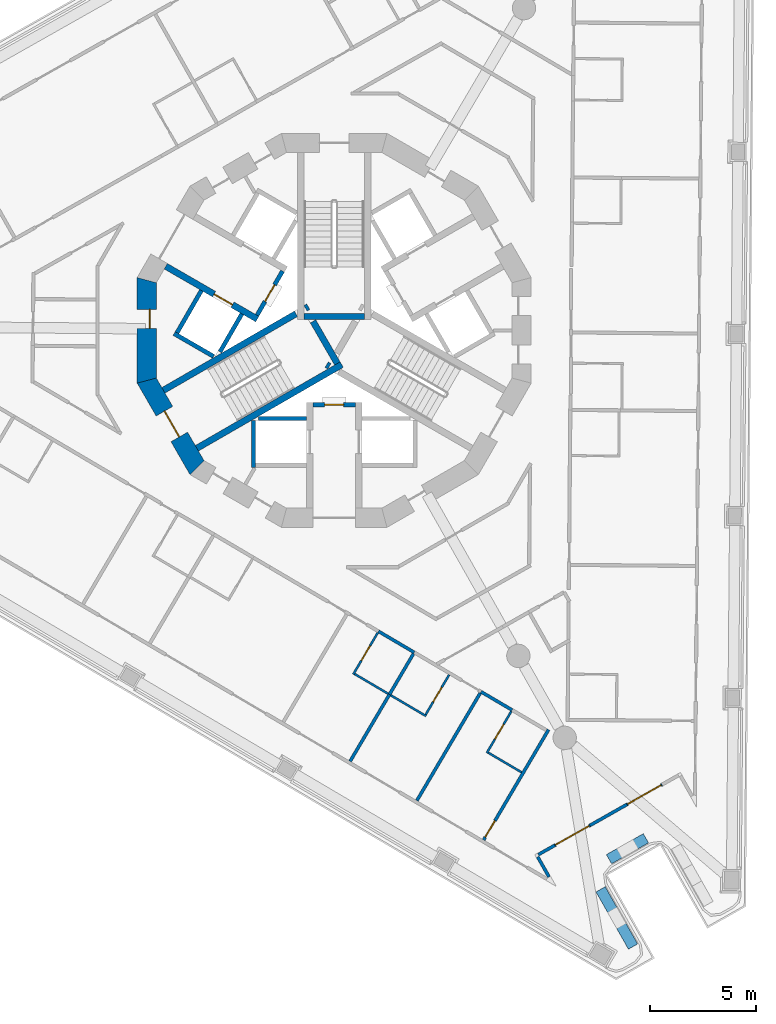
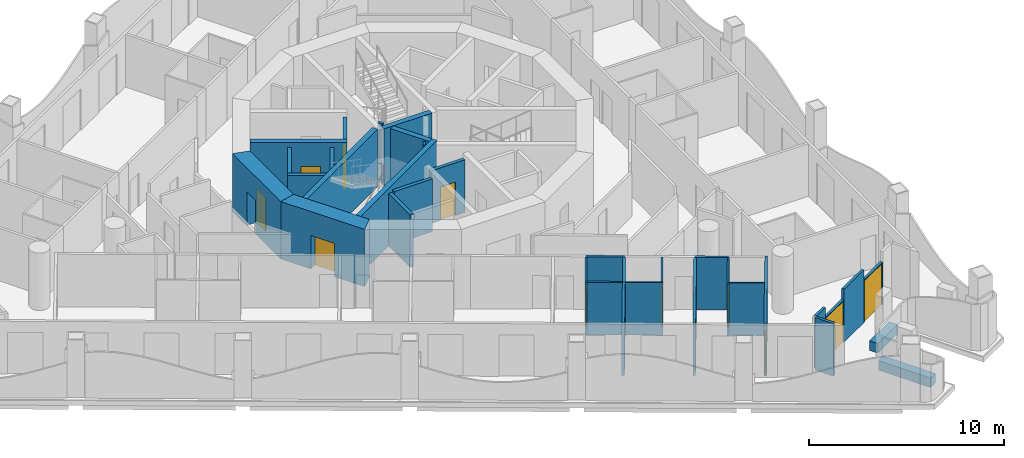
# One storey, part 4 of 17: 35 walls, 11 doors, 11 openings.
"""IFC4 building model written with IfcOpenShell, lengths in metres."""

from ifc_helpers import new_model, si_unit, direction, frame, frame_2d, origin, place, context, subcontext, project, spatial, polyline, rectangle, outline, extrude, material, layer, layer_set, type_object, element, fill, save


model = new_model("IFC4")

# Units and contexts
model_context = context("Model", 3, precision=1e-05, world=origin(), true_north=direction((0.0, 1.0)))
body_context = subcontext(model_context, "Body", "Model", "MODEL_VIEW")
ifc_project = project(units=[si_unit("LENGTHUNIT", "METRE"), si_unit("AREAUNIT", "SQUARE_METRE"), si_unit("VOLUMEUNIT", "CUBIC_METRE"), si_unit("PLANEANGLEUNIT", "RADIAN"), si_unit("MASSUNIT", "GRAM", prefix="KILO")], contexts=[model_context])

# Site, building, storey
site_placement = place(None, origin())
site = spatial("IfcSite", under=ifc_project, at=site_placement, CompositionType="ELEMENT")
building_placement = place(site_placement, origin())
building = spatial("IfcBuilding", under=site, at=building_placement, Name="Trine Commons Tower", CompositionType="ELEMENT")
storey_placement = place(building_placement, frame((0.0, 0.0, 168.300048828125)))
storey = spatial("IfcBuildingStorey", under=building, at=storey_placement, Name="L43", CompositionType="ELEMENT", Elevation=168.300048828125)

# Wall, opening, door
ifc_material_1 = material(Name="Aluminium-framed insulated wall panel", Category="aluminium")
ifc_layer_1 = layer(ifc_material_1, 0.14990234375)
ifc_layer_set_1 = layer_set([ifc_layer_1], Name="Aluminium-framed insulated wall panel")
wall_type_1 = type_object("IfcWallType", Name="Glazed frame wall 150, EI 60", PredefinedType="SOLIDWALL", material=ifc_layer_set_1)
wall_1_placement = place(storey_placement, frame((95.430419921875, 41.115966796875, 0.0), z_axis=(0.0, 0.0, 1.0), x_axis=(-0.870354540841, -0.492425601728, 0.0)))
wall_1 = element("IfcWall", 1, at=wall_1_placement, inside=storey, type_object=wall_type_1, Name="Glazed frame wall P3.2", PredefinedType="SOLIDWALL", context=body_context, shape_type="SweptSolid", body=[
    extrude(outline(polyline([(0.0, -0.074951171875), (1.89990234375, -0.074951171875), (1.89990234375, 0.074951171875), (0.0, 0.074951171875), (0.0, -0.074951171875)])), origin(), (0.0, 0.0, 1.0), 2.64990234375),
])
opening_1_placement = place(wall_1_placement, frame((0.050048828125, 0.0, 0.0)))
opening_1 = element("IfcOpeningElement", 2, at=opening_1_placement, cuts=wall_1, Name="Opening BD-5P3-01", PredefinedType="OPENING", context=body_context, shape_type="SweptSolid", body=[
    extrude(rectangle(XDim=1.800048828125, YDim=2.60009765625, at=frame_2d((0.89990234375, 1.300048828125))), frame((0.0, 0.0849609375, 0.0), z_axis=(0.0, -1.0, 0.0), x_axis=(1.0, 0.0, 0.0)), (0.0, 0.0, 1.0), 0.169921875),
])
ifc_material_2 = material(Name="Anodised aluminium frame with double glazing", Category="aluminium")
door_type_1 = type_object("IfcDoorType", Name="Sliding loggia door 1800x2600", OperationType="SLIDING_TO_LEFT", PredefinedType="DOOR", material=ifc_material_2)
door_1_placement = place(opening_1_placement, origin())
door_1 = element("IfcDoor", 3, at=door_1_placement, inside=storey, type_object=door_type_1, Name="Loggia door P3 1", OperationType="SLIDING_TO_LEFT", OverallHeight=2.60009765625, OverallWidth=1.800048828125, PredefinedType="DOOR", context=body_context, shape_type="SweptSolid", body=[
    extrude(rectangle(XDim=1.800048828125, YDim=2.60009765625, at=frame_2d((0.89990234375, 1.300048828125))), frame((0.0, 0.02490234375, 0.0), z_axis=(0.0, -1.0, 0.0), x_axis=(1.0, 0.0, 0.0)), (0.0, 0.0, 1.0), 0.050048828125),
])
fill(opening_1, door_1)

# Wall
wall_2_placement = place(storey_placement, frame((93.77685546875, 40.180419921875, 0.0), z_axis=(0.0, 0.0, 1.0), x_axis=(-0.870353598469, -0.492427267353, 0.0)))
element("IfcWall", 4, at=wall_2_placement, inside=storey, type_object=wall_type_1, Name="Glazed frame wall P3.3", PredefinedType="SOLIDWALL", context=body_context, shape_type="SweptSolid", body=[
    extrude(outline(polyline([(0.0, -0.074951171875), (2.0, -0.074951171875), (2.0, 0.074951171875), (0.0, 0.074951171875), (0.0, -0.074951171875)])), origin(), (0.0, 0.0, 1.0), 3.300048828125),
])

# Wall, opening, door
wall_3_placement = place(storey_placement, frame((92.0361328125, 39.195556640625, 0.0), z_axis=(0.0, 0.0, 1.0), x_axis=(-0.870385695537, -0.492370532226, 0.0)))
wall_3 = element("IfcWall", 5, at=wall_3_placement, inside=storey, type_object=wall_type_1, Name="Glazed frame wall P3.4", PredefinedType="SOLIDWALL", context=body_context, shape_type="SweptSolid", body=[
    extrude(outline(polyline([(0.0, -0.074951171875), (1.89990234375, -0.074951171875), (1.89990234375, 0.074951171875), (0.0, 0.074951171875), (0.0, -0.074951171875)])), origin(), (0.0, 0.0, 1.0), 2.64990234375),
])
opening_2_placement = place(wall_3_placement, frame((0.050048828125, 0.0, 0.0)))
opening_2 = element("IfcOpeningElement", 6, at=opening_2_placement, cuts=wall_3, Name="Opening BD-5P3-02", PredefinedType="OPENING", context=body_context, shape_type="SweptSolid", body=[
    extrude(rectangle(XDim=1.800048828125, YDim=2.60009765625, at=frame_2d((0.89990234375, 1.300048828125))), frame((0.0, 0.0849609375, 0.0), z_axis=(0.0, -1.0, 0.0), x_axis=(1.0, 0.0, 0.0)), (0.0, 0.0, 1.0), 0.169921875),
])
door_2_placement = place(opening_2_placement, origin())
door_2 = element("IfcDoor", 7, at=door_2_placement, inside=storey, type_object=door_type_1, Name="Loggia door P3 2", OperationType="SLIDING_TO_LEFT", OverallHeight=2.60009765625, OverallWidth=1.800048828125, PredefinedType="DOOR", context=body_context, shape_type="SweptSolid", body=[
    extrude(rectangle(XDim=1.800048828125, YDim=2.60009765625, at=frame_2d((0.89990234375, 1.300048828125))), frame((0.0, 0.02490234375, 0.0), z_axis=(0.0, -1.0, 0.0), x_axis=(1.0, 0.0, 0.0)), (0.0, 0.0, 1.0), 0.050048828125),
])
fill(opening_2, door_2)

# Walls
wall_4_placement = place(storey_placement, frame((90.38232421875, 38.260009765625, 0.0), z_axis=(0.0, 0.0, 1.0), x_axis=(-0.870294379776, -0.492531920316, 0.0)))
element("IfcWall", 8, at=wall_4_placement, inside=storey, type_object=wall_type_1, Name="Glazed frame wall P3.5", PredefinedType="SOLIDWALL", context=body_context, shape_type="SweptSolid", body=[
    extrude(outline(polyline([(0.889892578125, 0.074951171875), (0.0, 0.074951171875), (0.0, -0.074951171875), (0.889892578125, -0.074951171875), (0.889892578125, 0.074951171875)])), origin(), (0.0, 0.0, 1.0), 3.300048828125),
])
wall_5_placement = place(storey_placement, frame((89.525390625, 37.815185546875, 0.0), z_axis=(0.0, 0.0, 1.0), x_axis=(0.492302481267, -0.870424187933, 0.0)))
element("IfcWall", 9, at=wall_5_placement, inside=storey, type_object=wall_type_1, Name="Glazed frame wall R11", PredefinedType="SOLIDWALL", context=body_context, shape_type="SweptSolid", body=[
    extrude(outline(polyline([(0.110107421875, 0.074951171875), (0.110107421875, -0.074951171875), (1.19580078125, -0.074951171875), (1.19580078125, 0.074951171875), (0.110107421875, 0.074951171875)])), origin(), (0.0, 0.0, 1.0), 3.300048828125),
])

# Wall, opening, door
ifc_material_3 = material(Name="Fire-rated gypsum shaft wall system")
ifc_layer_2 = layer(ifc_material_3, 0.199951171875)
ifc_layer_set_2 = layer_set([ifc_layer_2], Name="Fire-rated gypsum shaft wall system")
wall_type_2 = type_object("IfcWallType", Name="Lobby end wall 200 mm, EI 120", PredefinedType="PARTITIONING", material=ifc_layer_set_2)
wall_6_placement = place(storey_placement, frame((77.569091796875, 65.2890625, 0.0), z_axis=(0.0, 0.0, 1.0), x_axis=(-0.50012165622, -0.865955154139, 0.0)))
wall_6 = element("IfcWall", 10, at=wall_6_placement, inside=storey, type_object=wall_type_2, Name="Lobby end wall L43", PredefinedType="PARTITIONING", context=body_context, shape_type="SweptSolid", body=[
    extrude(rectangle(XDim=2.39990234375, YDim=0.199951171875, at=frame_2d((1.199951171875, 0.0))), origin(), (0.0, 0.0, 1.0), 3.300048828125),
])
opening_3_placement = place(wall_6_placement, frame((0.749755859375, 0.0, 0.0)))
opening_3 = element("IfcOpeningElement", 11, at=opening_3_placement, cuts=wall_6, Name="Opening K10.07", PredefinedType="OPENING", context=body_context, shape_type="SweptSolid", body=[
    extrude(rectangle(XDim=0.89990234375, YDim=2.10009765625, at=frame_2d((0.449951171875, 1.050048828125))), frame((0.0, 0.10986328125, 0.0), z_axis=(0.0, -1.0, 0.0), x_axis=(1.0, 0.0, 0.0)), (0.0, 0.0, 1.0), 0.219970703125),
])
ifc_material_4 = material(Name="Steel door leaf, fire-rated", Category="steel")
door_type_2 = type_object("IfcDoorType", Name="Riser access door, single leaf 900 x 2100, FD60", OperationType="SINGLE_SWING_LEFT", PredefinedType="DOOR", material=ifc_material_4)
door_3_placement = place(opening_3_placement, frame((0.89990234375, 0.0, 0.0), z_axis=(0.0, 0.0, 1.0), x_axis=(-1.0, 0.0, 0.0)))
door_3 = element("IfcDoor", 12, at=door_3_placement, inside=storey, type_object=door_type_2, Name="Riser door, Mechanical riser L43", OperationType="SINGLE_SWING_RIGHT", OverallHeight=2.10009765625, OverallWidth=0.89990234375, PredefinedType="DOOR", context=body_context, shape_type="SweptSolid", body=[
    extrude(rectangle(XDim=0.89990234375, YDim=2.10009765625, at=frame_2d((0.449951171875, 1.050048828125))), frame((0.0, 0.02490234375, 0.0), z_axis=(0.0, -1.0, 0.0), x_axis=(1.0, 0.0, 0.0)), (0.0, 0.0, 1.0), 0.050048828125),
])
fill(opening_3, door_3)

wall_7_placement = place(storey_placement, frame((79.0, 59.0, 0.0), z_axis=(0.0, 0.0, 1.0), x_axis=(1.0, 0.0, 0.0)))
wall_7 = element("IfcWall", 13, at=wall_7_placement, inside=storey, type_object=wall_type_2, Name="Lobby end wall L43", PredefinedType="PARTITIONING", context=body_context, shape_type="SweptSolid", body=[
    extrude(rectangle(XDim=2.0, YDim=0.199951171875, at=frame_2d((1.0, 0.0))), origin(), (0.0, 0.0, 1.0), 3.300048828125),
])
opening_4_placement = place(wall_7_placement, frame((0.550048828125, 0.0, 0.0)))
opening_4 = element("IfcOpeningElement", 14, at=opening_4_placement, cuts=wall_7, Name="Opening K10.09", PredefinedType="OPENING", context=body_context, shape_type="SweptSolid", body=[
    extrude(rectangle(XDim=0.89990234375, YDim=2.10009765625, at=frame_2d((0.449951171875, 1.050048828125))), frame((0.0, 0.10986328125, 0.0), z_axis=(0.0, -1.0, 0.0), x_axis=(1.0, 0.0, 0.0)), (0.0, 0.0, 1.0), 0.219970703125),
])
door_4_placement = place(opening_4_placement, frame((0.89990234375, 0.0, 0.0), z_axis=(0.0, 0.0, 1.0), x_axis=(-1.0, 0.0, 0.0)))
door_4 = element("IfcDoor", 15, at=door_4_placement, inside=storey, type_object=door_type_2, Name="Riser door, Communications riser L43", OperationType="SINGLE_SWING_RIGHT", OverallHeight=2.10009765625, OverallWidth=0.89990234375, PredefinedType="DOOR", context=body_context, shape_type="SweptSolid", body=[
    extrude(rectangle(XDim=0.89990234375, YDim=2.10009765625, at=frame_2d((0.449951171875, 1.050048828125))), frame((0.0, 0.02490234375, 0.0), z_axis=(0.0, -1.0, 0.0), x_axis=(1.0, 0.0, 0.0)), (0.0, 0.0, 1.0), 0.050048828125),
])
fill(opening_4, door_4)

# Walls
ifc_material_5 = material(Name="Planter trough, precast concrete C40/50", Category="concrete")
ifc_layer_3 = layer(ifc_material_5, 0.5)
ifc_layer_set_3 = layer_set([ifc_layer_3], Name="Planter trough, precast concrete C40/50")
wall_type_3 = type_object("IfcWallType", Name="Planter trough 500x600", PredefinedType="PARAPET", material=ifc_layer_set_3)
wall_8_placement = place(storey_placement, frame((94.67529296875, 38.592041015625, 0.0), z_axis=(0.0, 0.0, 1.0), x_axis=(-0.870323993841, -0.492479589165, 0.0)))
element("IfcWall", 16, at=wall_8_placement, inside=storey, type_object=wall_type_3, Name="Planter 8", PredefinedType="PARAPET", context=body_context, shape_type="SweptSolid", body=[
    extrude(rectangle(XDim=1.999755859375, YDim=0.5, at=frame_2d((1.0, 0.0))), origin(), (0.0, 0.0, 1.0), 0.599853515625),
])
wall_9_placement = place(storey_placement, frame((92.541748046875, 36.189697265625, 0.0), z_axis=(0.0, 0.0, 1.0), x_axis=(0.492402381783, -0.870367677717, 0.0)))
element("IfcWall", 17, at=wall_9_placement, inside=storey, type_object=wall_type_3, Name="Planter 9", PredefinedType="PARAPET", context=body_context, shape_type="SweptSolid", body=[
    extrude(rectangle(XDim=3.099853515625, YDim=0.5, at=frame_2d((1.5498046875, 0.0))), origin(), (0.0, 0.0, 1.0), 0.599853515625),
])

# Wall, opening, door
ifc_material_6 = material(Name="Concrete C60/75", Category="concrete")
ifc_layer_4 = layer(ifc_material_6, 0.300048828125)
ifc_layer_set_4 = layer_set([ifc_layer_4], Name="Concrete C60/75")
wall_type_4 = type_object("IfcWallType", Name="RC shear wall 300 mm, C60/75", PredefinedType="SHEAR", material=ifc_layer_set_4)
wall_10_placement = place(storey_placement, frame((76.381103515625, 63.031005859375, 0.0), z_axis=(0.0, 0.0, 1.0), x_axis=(-0.866080953719, 0.499903772346, 0.0)))
wall_10 = element("IfcWall", 18, at=wall_10_placement, inside=storey, type_object=wall_type_4, Name="Core cross wall SWB-01 L43", PredefinedType="SHEAR", context=body_context, shape_type="SweptSolid", body=[
    extrude(rectangle(XDim=4.97314453125, YDim=0.300048828125, at=frame_2d((2.486572265625, 0.0))), origin(), (0.0, 0.0, 1.0), 3.599853515625),
])
opening_5_placement = place(wall_10_placement, frame((1.350341796875, 0.0, 0.0)))
opening_5 = element("IfcOpeningElement", 19, at=opening_5_placement, cuts=wall_10, Name="Opening LD7", PredefinedType="OPENING", context=body_context, shape_type="SweptSolid", body=[
    extrude(rectangle(XDim=1.0, YDim=2.10009765625, at=frame_2d((0.5, 1.050048828125))), frame((0.0, 0.159912109375, 0.0), z_axis=(0.0, -1.0, 0.0), x_axis=(1.0, 0.0, 0.0)), (0.0, 0.0, 1.0), 0.320068359375),
])
ifc_material_7 = material(Name="Stainless steel sliding door leaves", Category="steel")
door_type_3 = type_object("IfcDoorType", Name="Lift landing door, centre-opening sliding 1000 x 2100, FD90", OperationType="DOUBLE_DOOR_SLIDING", PredefinedType="DOOR", material=ifc_material_7)
door_5_placement = place(opening_5_placement, origin())
door_5 = element("IfcDoor", 20, at=door_5_placement, inside=storey, type_object=door_type_3, Name="Lift landing door HR3 L43", OperationType="DOUBLE_DOOR_SLIDING", OverallHeight=2.10009765625, OverallWidth=1.0, PredefinedType="DOOR", context=body_context, shape_type="SweptSolid", body=[
    extrude(rectangle(XDim=1.0, YDim=2.10009765625, at=frame_2d((0.5, 1.050048828125))), frame((0.0, 0.02490234375, 0.0), z_axis=(0.0, -1.0, 0.0), x_axis=(1.0, 0.0, 0.0)), (0.0, 0.0, 1.0), 0.050048828125),
])
fill(opening_5, door_5)

# Walls
wall_11_placement = place(storey_placement, frame((78.199951171875, 63.280029296875, 0.0), z_axis=(0.0, 0.0, 1.0), x_axis=(-0.866028135082, -0.499995269223, 0.0)))
element("IfcWall", 21, at=wall_11_placement, inside=storey, type_object=wall_type_4, Name="Core cross wall SWB-07 L43", PredefinedType="SHEAR", context=body_context, shape_type="SweptSolid", body=[
    extrude(rectangle(XDim=7.2041015625, YDim=0.300048828125, at=frame_2d((3.60205078125, 0.0))), origin(), (0.0, 0.0, 1.0), 3.599853515625),
])
wall_12_placement = place(storey_placement, frame((78.779052734375, 63.614013671875, 0.0), z_axis=(0.0, 0.0, 1.0), x_axis=(-0.867737973955, -0.497021939713, 0.0)))
element("IfcWall", 22, at=wall_12_placement, inside=storey, type_object=wall_type_4, Name="Core cross wall SWB-09 L43", PredefinedType="SHEAR", context=body_context, shape_type="SweptSolid", body=[
    extrude(rectangle(XDim=0.14892578125, YDim=0.300048828125, at=frame_2d((0.074462890625, 0.0))), origin(), (0.0, 0.0, 1.0), 3.599853515625),
])
wall_13_placement = place(storey_placement, frame((79.0029296875, 62.926025390625, 0.0), z_axis=(0.0, 0.0, 1.0), x_axis=(0.499965247104, -0.866045467449, 0.0)))
element("IfcWall", 23, at=wall_13_placement, inside=storey, type_object=wall_type_4, Name="Core cross wall SWB-10 L43", PredefinedType="SHEAR", context=body_context, shape_type="SweptSolid", body=[
    extrude(rectangle(XDim=2.292236328125, YDim=0.300048828125, at=frame_2d((1.14599609375, 0.0))), origin(), (0.0, 0.0, 1.0), 3.599853515625),
])
wall_14_placement = place(storey_placement, frame((79.64599609375, 60.885986328125, 0.0), z_axis=(0.0, 0.0, 1.0), x_axis=(0.867331893649, -0.497730234424, 0.0)))
element("IfcWall", 24, at=wall_14_placement, inside=storey, type_object=wall_type_4, Name="Core cross wall SWB-11 L43", PredefinedType="SHEAR", context=body_context, shape_type="SweptSolid", body=[
    extrude(rectangle(XDim=0.148681640625, YDim=0.300048828125, at=frame_2d((0.07421875, 0.0))), origin(), (0.0, 0.0, 1.0), 3.599853515625),
])
wall_15_placement = place(storey_placement, frame((80.35400390625, 60.885986328125, 0.0), z_axis=(0.0, 0.0, 1.0), x_axis=(-0.866047706748, -0.499961368145, 0.0)))
element("IfcWall", 25, at=wall_15_placement, inside=storey, type_object=wall_type_4, Name="Core cross wall SWB-14 L43", PredefinedType="SHEAR", context=body_context, shape_type="SweptSolid", body=[
    extrude(rectangle(XDim=7.87255859375, YDim=0.300048828125, at=frame_2d((3.936279296875, 0.0))), origin(), (0.0, 0.0, 1.0), 3.599853515625),
])
wall_16_placement = place(storey_placement, frame((81.425048828125, 63.15087890625, 0.0), z_axis=(0.0, 0.0, 1.0), x_axis=(-1.0, 0.0, 0.0)))
element("IfcWall", 26, at=wall_16_placement, inside=storey, type_object=wall_type_4, Name="Core cross wall SWB-16 L43", PredefinedType="SHEAR", context=body_context, shape_type="SweptSolid", body=[
    extrude(rectangle(XDim=2.85009765625, YDim=0.300048828125, at=frame_2d((1.425048828125, 0.0))), origin(), (0.0, 0.0, 1.0), 3.599853515625),
])

# Wall, opening, door
ifc_layer_5 = layer(ifc_material_6, 0.89990234375)
ifc_layer_set_5 = layer_set([ifc_layer_5], Name="Concrete C60/75")
wall_type_5 = type_object("IfcWallType", Name="RC shear wall 900 mm, C60/75", PredefinedType="SHEAR", material=ifc_layer_set_5)
wall_17_placement = place(storey_placement, frame((71.177001953125, 64.984619140625, 0.0), z_axis=(0.0, 0.0, 1.0), x_axis=(0.0, -1.0, 0.0)))
wall_17 = element("IfcWall", 27, at=wall_17_placement, inside=storey, type_object=wall_type_5, Name="Core wall CWE-07 L43", PredefinedType="SHEAR", context=body_context, shape_type="SweptSolid", body=[
    extrude(outline(polyline([(0.0, -0.449951171875), (4.969482421875, -0.449951171875), (4.728271484375, 0.449951171875), (0.2412109375, 0.449951171875), (0.0, -0.449951171875)])), origin(), (0.0, 0.0, 1.0), 3.599853515625),
])
opening_6_placement = place(wall_17_placement, frame((1.49365234375, 0.0, 0.0)))
opening_6 = element("IfcOpeningElement", 28, at=opening_6_placement, cuts=wall_17, Name="Opening K10.15", PredefinedType="OPENING", context=body_context, shape_type="SweptSolid", body=[
    extrude(rectangle(XDim=0.89990234375, YDim=2.10009765625, at=frame_2d((0.449951171875, 1.050048828125))), frame((0.0, 0.4599609375, 0.0), z_axis=(0.0, -1.0, 0.0), x_axis=(1.0, 0.0, 0.0)), (0.0, 0.0, 1.0), 0.919921875),
])
door_type_4 = type_object("IfcDoorType", Name="Core room door, single leaf 900 x 2100, FD30S", OperationType="SINGLE_SWING_LEFT", PredefinedType="DOOR", material=ifc_material_4)
door_6_placement = place(opening_6_placement, origin())
door_6 = element("IfcDoor", 29, at=door_6_placement, inside=storey, type_object=door_type_4, Name="Door to Cleaner's store L43", OperationType="SINGLE_SWING_LEFT", OverallHeight=2.10009765625, OverallWidth=0.89990234375, PredefinedType="DOOR", context=body_context, shape_type="SweptSolid", body=[
    extrude(rectangle(XDim=0.89990234375, YDim=2.10009765625, at=frame_2d((0.449951171875, 1.050048828125))), frame((0.0, 0.1748046875, 0.0), z_axis=(0.0, -1.0, 0.0), x_axis=(1.0, 0.0, 0.0)), (0.0, 0.0, 1.0), 0.050048828125),
])
fill(opening_6, door_6)

wall_18_placement = place(storey_placement, frame((71.11669921875, 60.240234375, 0.0), z_axis=(0.0, 0.0, 1.0), x_axis=(0.500038571144, -0.866003133579, 0.0)))
wall_18 = element("IfcWall", 30, at=wall_18_placement, inside=storey, type_object=wall_type_5, Name="Core wall CWE-08 L43", PredefinedType="SHEAR", context=body_context, shape_type="SweptSolid", body=[
    extrude(outline(polyline([(0.0, -0.449951171875), (4.96923828125, -0.449951171875), (4.72802734375, 0.449951171875), (0.2412109375, 0.449951171875), (0.0, -0.449951171875)])), origin(), (0.0, 0.0, 1.0), 3.599853515625),
])
opening_7_placement = place(wall_18_placement, frame((1.78466796875, 0.0, 0.0)))
opening_7 = element("IfcOpeningElement", 31, at=opening_7_placement, cuts=wall_18, Name="Opening K10.02", PredefinedType="OPENING", context=body_context, shape_type="SweptSolid", body=[
    extrude(rectangle(XDim=1.39990234375, YDim=2.10009765625, at=frame_2d((0.699951171875, 1.050048828125))), frame((0.0, 0.4599609375, 0.0), z_axis=(0.0, -1.0, 0.0), x_axis=(1.0, 0.0, 0.0)), (0.0, 0.0, 1.0), 0.919921875),
])
ifc_material_8 = material(Name="Steel door leaves, fire-rated", Category="steel")
door_type_5 = type_object("IfcDoorType", Name="Stair door, double leaf 1400 x 2100, FD90", OperationType="DOUBLE_DOOR_SINGLE_SWING", PredefinedType="DOOR", material=ifc_material_8)
door_7_placement = place(opening_7_placement, origin())
door_7 = element("IfcDoor", 32, at=door_7_placement, inside=storey, type_object=door_type_5, Name="Stair door to Exit stair ST2B L43", OperationType="DOUBLE_DOOR_SINGLE_SWING", OverallHeight=2.10009765625, OverallWidth=1.39990234375, PredefinedType="DOOR", context=body_context, shape_type="SweptSolid", body=[
    extrude(rectangle(XDim=1.39990234375, YDim=2.10009765625, at=frame_2d((0.699951171875, 1.050048828125))), frame((0.0, 0.02490234375, 0.0), z_axis=(0.0, -1.0, 0.0), x_axis=(1.0, 0.0, 0.0)), (0.0, 0.0, 1.0), 0.050048828125),
])
fill(opening_7, door_7)

# Walls
ifc_layer_6 = layer(ifc_material_3, 0.199951171875)
ifc_layer_set_6 = layer_set([ifc_layer_6], Name="Fire-rated gypsum shaft wall system")
wall_type_6 = type_object("IfcWallType", Name="Shaft wall 200 mm, EI 120", PredefinedType="PARTITIONING", material=ifc_layer_set_6)
wall_19_placement = place(storey_placement, frame((73.7509765625, 64.3759765625, 0.0), z_axis=(0.0, 0.0, 1.0), x_axis=(-0.500136062276, -0.86594683394, 0.0)))
element("IfcWall", 33, at=wall_19_placement, inside=storey, type_object=wall_type_6, Name="Shaft wall L43", PredefinedType="PARTITIONING", context=body_context, shape_type="SweptSolid", body=[
    extrude(rectangle(XDim=2.299072265625, YDim=0.199951171875, at=frame_2d((1.1494140625, 0.0))), origin(), (0.0, 0.0, 1.0), 3.300048828125),
])
wall_20_placement = place(storey_placement, frame((74.324951171875, 61.27392578125, 0.0), z_axis=(0.0, 0.0, 1.0), x_axis=(-0.866102336459, 0.499866725018, 0.0)))
element("IfcWall", 34, at=wall_20_placement, inside=storey, type_object=wall_type_6, Name="Shaft wall L43", PredefinedType="PARTITIONING", context=body_context, shape_type="SweptSolid", body=[
    extrude(rectangle(XDim=2.1484375, YDim=0.199951171875, at=frame_2d((1.07421875, 0.0))), origin(), (0.0, 0.0, 1.0), 3.300048828125),
])
wall_21_placement = place(storey_placement, frame((75.656005859375, 63.27587890625, 0.0), z_axis=(0.0, 0.0, 1.0), x_axis=(-0.500271688072, -0.86586848777, 0.0)))
element("IfcWall", 35, at=wall_21_placement, inside=storey, type_object=wall_type_6, Name="Shaft wall L43", PredefinedType="PARTITIONING", context=body_context, shape_type="SweptSolid", body=[
    extrude(rectangle(XDim=2.064697265625, YDim=0.199951171875, at=frame_2d((1.0322265625, 0.0))), origin(), (0.0, 0.0, 1.0), 3.300048828125),
])
wall_22_placement = place(storey_placement, frame((76.199951171875, 58.257080078125, 0.0), z_axis=(0.0, 0.0, 1.0), x_axis=(0.0, -1.0, 0.0)))
element("IfcWall", 36, at=wall_22_placement, inside=storey, type_object=wall_type_6, Name="Shaft wall L43", PredefinedType="PARTITIONING", context=body_context, shape_type="SweptSolid", body=[
    extrude(rectangle(XDim=2.20703125, YDim=0.199951171875, at=frame_2d((1.103515625, 0.0))), origin(), (0.0, 0.0, 1.0), 3.300048828125),
])
wall_23_placement = place(storey_placement, frame((78.699951171875, 58.35009765625, 0.0), z_axis=(0.0, 0.0, 1.0), x_axis=(-1.0, 0.0, 0.0)))
element("IfcWall", 37, at=wall_23_placement, inside=storey, type_object=wall_type_6, Name="Shaft wall L43", PredefinedType="PARTITIONING", context=body_context, shape_type="SweptSolid", body=[
    extrude(rectangle(XDim=2.264892578125, YDim=0.199951171875, at=frame_2d((1.13232421875, 0.0))), origin(), (0.0, 0.0, 1.0), 3.300048828125),
])
ifc_material_9 = material(Name="Gypsum plasterboard on steel stud", Category="steel")
ifc_layer_7 = layer(ifc_material_9, 0.14990234375)
ifc_layer_set_7 = layer_set([ifc_layer_7], Name="Gypsum plasterboard on steel stud")
wall_type_7 = type_object("IfcWallType", Name="Unit and corridor wall 150 mm, EI 60", PredefinedType="PARTITIONING", material=ifc_layer_set_7)
wall_24_placement = place(storey_placement, frame((80.750244140625, 42.215576171875, 0.0), z_axis=(0.0, 0.0, 1.0), x_axis=(0.507590300209, 0.861598564956, 0.0)))
element("IfcWall", 38, at=wall_24_placement, inside=storey, type_object=wall_type_7, Name="Partition 066", PredefinedType="PARTITIONING", context=body_context, shape_type="SweptSolid", body=[
    extrude(rectangle(XDim=3.648193359375, YDim=0.14990234375, at=frame_2d((1.82421875, 0.0))), origin(), (0.0, 0.0, 1.0), 3.300048828125),
])
wall_25_placement = place(storey_placement, frame((82.0859375, 48.3330078125, 0.0), z_axis=(0.0, 0.0, 1.0), x_axis=(0.861462455733, -0.507821265174, 0.0)))
element("IfcWall", 39, at=wall_25_placement, inside=storey, type_object=wall_type_7, Name="Partition 074", PredefinedType="PARTITIONING", context=body_context, shape_type="SweptSolid", body=[
    extrude(rectangle(XDim=1.957275390625, YDim=0.14990234375, at=frame_2d((0.978515625, 0.0))), origin(), (0.0, 0.0, 1.0), 3.300048828125),
])
wall_26_placement = place(storey_placement, frame((82.60205078125, 45.35888671875, 0.0), z_axis=(0.0, 0.0, 1.0), x_axis=(0.507346148222, 0.8617423547, 0.0)))
element("IfcWall", 40, at=wall_26_placement, inside=storey, type_object=wall_type_7, Name="Partition 075", PredefinedType="PARTITIONING", context=body_context, shape_type="SweptSolid", body=[
    extrude(rectangle(XDim=2.22509765625, YDim=0.14990234375, at=frame_2d((1.112548828125, 0.0))), origin(), (0.0, 0.0, 1.0), 3.300048828125),
])
wall_27_placement = place(storey_placement, frame((83.892333984375, 40.364501953125, 0.0), z_axis=(0.0, 0.0, 1.0), x_axis=(0.507590384089, 0.86159851554, 0.0)))
element("IfcWall", 41, at=wall_27_placement, inside=storey, type_object=wall_type_7, Name="Partition 081", PredefinedType="PARTITIONING", context=body_context, shape_type="SweptSolid", body=[
    extrude(rectangle(XDim=5.873779296875, YDim=0.14990234375, at=frame_2d((2.93701171875, 0.0))), origin(), (0.0, 0.0, 1.0), 3.300048828125),
])
wall_28_placement = place(storey_placement, frame((86.912109375, 45.489990234375, 0.0), z_axis=(0.0, 0.0, 1.0), x_axis=(0.861583321685, -0.507616173693, 0.0)))
element("IfcWall", 42, at=wall_28_placement, inside=storey, type_object=wall_type_7, Name="Partition 091", PredefinedType="PARTITIONING", context=body_context, shape_type="SweptSolid", body=[
    extrude(rectangle(XDim=1.7001953125, YDim=0.14990234375, at=frame_2d((0.85009765625, 0.0))), origin(), (0.0, 0.0, 1.0), 3.300048828125),
])

# Wall, opening, door
wall_29_placement = place(storey_placement, frame((87.035400390625, 38.512451171875, 0.0), z_axis=(0.0, 0.0, 1.0), x_axis=(0.507392006532, 0.861715354225, 0.0)))
wall_29 = element("IfcWall", 43, at=wall_29_placement, inside=storey, type_object=wall_type_7, Name="Partition 092", PredefinedType="PARTITIONING", context=body_context, shape_type="SweptSolid", body=[
    extrude(rectangle(XDim=6.024169921875, YDim=0.14990234375, at=frame_2d((3.01220703125, 0.0))), origin(), (0.0, 0.0, 1.0), 3.300048828125),
])
opening_8_placement = place(wall_29_placement, frame((0.14990234375, 0.0, 0.0)))
opening_8 = element("IfcOpeningElement", 44, at=opening_8_placement, cuts=wall_29, Name="Opening D-5A19", PredefinedType="OPENING", context=body_context, shape_type="SweptSolid", body=[
    extrude(rectangle(XDim=0.89990234375, YDim=2.10009765625, at=frame_2d((0.449951171875, 1.050048828125))), frame((0.0, 0.0849609375, 0.0), z_axis=(0.0, -1.0, 0.0), x_axis=(1.0, 0.0, 0.0)), (0.0, 0.0, 1.0), 0.169921875),
])
ifc_material_10 = material(Name="Timber fire door set", Category="wood")
door_type_6 = type_object("IfcDoorType", Name="Bedroom door 900 x 2100, FD30S", OperationType="NOTDEFINED", PredefinedType="DOOR", material=ifc_material_10)
door_8_placement = place(opening_8_placement, origin())
door_8 = element("IfcDoor", 45, at=door_8_placement, inside=storey, type_object=door_type_6, Name="Door D-5A19", OperationType="SINGLE_SWING_LEFT", OverallHeight=2.10009765625, OverallWidth=0.89990234375, PredefinedType="DOOR", context=body_context, shape_type="SweptSolid", body=[
    extrude(rectangle(XDim=0.89990234375, YDim=2.10009765625, at=frame_2d((0.449951171875, 1.050048828125))), frame((0.0, 0.02490234375, 0.0), z_axis=(0.0, -1.0, 0.0), x_axis=(1.0, 0.0, 0.0)), (0.0, 0.0, 1.0), 0.050048828125),
])
fill(opening_8, door_8)

ifc_layer_8 = layer(ifc_material_9, 0.10009765625)
ifc_layer_set_8 = layer_set([ifc_layer_8], Name="Gypsum plasterboard on steel stud")
wall_type_8 = type_object("IfcWallType", Name="Unit partition 100 mm, no rating", PredefinedType="PARTITIONING", material=ifc_layer_set_8)
wall_30_placement = place(storey_placement, frame((80.896484375, 46.305908203125, 0.0), z_axis=(0.0, 0.0, 1.0), x_axis=(0.507376506277, 0.861724480839, 0.0)))
wall_30 = element("IfcWall", 46, at=wall_30_placement, inside=storey, type_object=wall_type_8, Name="Partition 070", PredefinedType="PARTITIONING", context=body_context, shape_type="SweptSolid", body=[
    extrude(rectangle(XDim=2.275146484375, YDim=0.10009765625, at=frame_2d((1.1376953125, 0.0))), origin(), (0.0, 0.0, 1.0), 3.300048828125),
])
opening_9_placement = place(wall_30_placement, frame((0.762451171875, 0.0, 0.0)))
opening_9 = element("IfcOpeningElement", 47, at=opening_9_placement, cuts=wall_30, Name="Opening D-5A46", PredefinedType="OPENING", context=body_context, shape_type="SweptSolid", body=[
    extrude(rectangle(XDim=0.800048828125, YDim=2.10009765625, at=frame_2d((0.39990234375, 1.050048828125))), frame((0.0, 0.06005859375, 0.0), z_axis=(0.0, -1.0, 0.0), x_axis=(1.0, 0.0, 0.0)), (0.0, 0.0, 1.0), 0.1201171875),
])
ifc_material_11 = material(Name="Painted timber", Category="wood")
door_type_7 = type_object("IfcDoorType", Name="Internal door 800 x 2100, NOT RATED", OperationType="NOTDEFINED", PredefinedType="DOOR", material=ifc_material_11)
door_9_placement = place(opening_9_placement, origin())
door_9 = element("IfcDoor", 48, at=door_9_placement, inside=storey, type_object=door_type_7, Name="Door D-5A46", OperationType="SINGLE_SWING_RIGHT", OverallHeight=2.10009765625, OverallWidth=0.800048828125, PredefinedType="DOOR", context=body_context, shape_type="SweptSolid", body=[
    extrude(rectangle(XDim=0.800048828125, YDim=2.10009765625, at=frame_2d((0.39990234375, 1.050048828125))), frame((0.0, 0.02490234375, 0.0), z_axis=(0.0, -1.0, 0.0), x_axis=(1.0, 0.0, 0.0)), (0.0, 0.0, 1.0), 0.050048828125),
])
fill(opening_9, door_9)

# Walls
wall_31_placement = place(storey_placement, frame((80.965087890625, 46.323486328125, 0.0), z_axis=(0.0, 0.0, 1.0), x_axis=(0.861596974365, -0.507593000115, 0.0)))
element("IfcWall", 49, at=wall_31_placement, inside=storey, type_object=wall_type_8, Name="Partition 071", PredefinedType="PARTITIONING", context=body_context, shape_type="SweptSolid", body=[
    extrude(rectangle(XDim=1.82470703125, YDim=0.10009765625, at=frame_2d((0.912353515625, 0.0))), origin(), (0.0, 0.0, 1.0), 3.300048828125),
])
wall_32_placement = place(storey_placement, frame((82.66650390625, 45.321044921875, 0.0), z_axis=(0.0, 0.0, 1.0), x_axis=(0.861738513716, -0.507352672191, 0.0)))
element("IfcWall", 50, at=wall_32_placement, inside=storey, type_object=wall_type_8, Name="Partition 076", PredefinedType="PARTITIONING", context=body_context, shape_type="SweptSolid", body=[
    extrude(rectangle(XDim=1.9248046875, YDim=0.10009765625, at=frame_2d((0.96240234375, 0.0))), origin(), (0.0, 0.0, 1.0), 3.300048828125),
])

# Wall, opening, door
wall_33_placement = place(storey_placement, frame((84.307373046875, 44.4130859375, 0.0), z_axis=(0.0, 0.0, 1.0), x_axis=(0.507559836999, 0.861616510906, 0.0)))
wall_33 = element("IfcWall", 51, at=wall_33_placement, inside=storey, type_object=wall_type_8, Name="Partition 083", PredefinedType="PARTITIONING", context=body_context, shape_type="SweptSolid", body=[
    extrude(rectangle(XDim=2.174072265625, YDim=0.10009765625, at=frame_2d((1.0869140625, 0.0))), origin(), (0.0, 0.0, 1.0), 3.300048828125),
])
opening_10_placement = place(wall_33_placement, frame((0.68701171875, 0.0, 0.0)))
opening_10 = element("IfcOpeningElement", 52, at=opening_10_placement, cuts=wall_33, Name="Opening D-5A45", PredefinedType="OPENING", context=body_context, shape_type="SweptSolid", body=[
    extrude(rectangle(XDim=0.800048828125, YDim=2.10009765625, at=frame_2d((0.39990234375, 1.050048828125))), frame((0.0, 0.06005859375, 0.0), z_axis=(0.0, -1.0, 0.0), x_axis=(1.0, 0.0, 0.0)), (0.0, 0.0, 1.0), 0.1201171875),
])
door_10_placement = place(opening_10_placement, frame((0.800048828125, 0.0, 0.0), z_axis=(0.0, 0.0, 1.0), x_axis=(-1.0, 0.0, 0.0)))
door_10 = element("IfcDoor", 53, at=door_10_placement, inside=storey, type_object=door_type_7, Name="Door D-5A45", OperationType="SINGLE_SWING_RIGHT", OverallHeight=2.10009765625, OverallWidth=0.800048828125, PredefinedType="DOOR", context=body_context, shape_type="SweptSolid", body=[
    extrude(rectangle(XDim=0.800048828125, YDim=2.10009765625, at=frame_2d((0.39990234375, 1.050048828125))), frame((0.0, 0.02490234375, 0.0), z_axis=(0.0, -1.0, 0.0), x_axis=(1.0, 0.0, 0.0)), (0.0, 0.0, 1.0), 0.050048828125),
])
fill(opening_10, door_10)

wall_34_placement = place(storey_placement, frame((87.181640625, 42.60400390625, 0.0), z_axis=(0.0, 0.0, 1.0), x_axis=(0.507376506277, 0.861724480839, 0.0)))
wall_34 = element("IfcWall", 54, at=wall_34_placement, inside=storey, type_object=wall_type_8, Name="Partition 093", PredefinedType="PARTITIONING", context=body_context, shape_type="SweptSolid", body=[
    extrude(rectangle(XDim=2.275146484375, YDim=0.10009765625, at=frame_2d((1.1376953125, 0.0))), origin(), (0.0, 0.0, 1.0), 3.300048828125),
])
opening_11_placement = place(wall_34_placement, frame((0.762451171875, 0.0, 0.0)))
opening_11 = element("IfcOpeningElement", 55, at=opening_11_placement, cuts=wall_34, Name="Opening D-5A44", PredefinedType="OPENING", context=body_context, shape_type="SweptSolid", body=[
    extrude(rectangle(XDim=0.800048828125, YDim=2.10009765625, at=frame_2d((0.39990234375, 1.050048828125))), frame((0.0, 0.06005859375, 0.0), z_axis=(0.0, -1.0, 0.0), x_axis=(1.0, 0.0, 0.0)), (0.0, 0.0, 1.0), 0.1201171875),
])
door_11_placement = place(opening_11_placement, origin())
door_11 = element("IfcDoor", 56, at=door_11_placement, inside=storey, type_object=door_type_7, Name="Door D-5A44", OperationType="SINGLE_SWING_RIGHT", OverallHeight=2.10009765625, OverallWidth=0.800048828125, PredefinedType="DOOR", context=body_context, shape_type="SweptSolid", body=[
    extrude(rectangle(XDim=0.800048828125, YDim=2.10009765625, at=frame_2d((0.39990234375, 1.050048828125))), frame((0.0, 0.02490234375, 0.0), z_axis=(0.0, -1.0, 0.0), x_axis=(1.0, 0.0, 0.0)), (0.0, 0.0, 1.0), 0.050048828125),
])
fill(opening_11, door_11)

# Wall
wall_35_placement = place(storey_placement, frame((87.25, 42.62158203125, 0.0), z_axis=(0.0, 0.0, 1.0), x_axis=(0.861572937381, -0.50763379869, 0.0)))
element("IfcWall", 57, at=wall_35_placement, inside=storey, type_object=wall_type_8, Name="Partition 094", PredefinedType="PARTITIONING", context=body_context, shape_type="SweptSolid", body=[
    extrude(rectangle(XDim=1.8251953125, YDim=0.10009765625, at=frame_2d((0.91259765625, 0.0))), origin(), (0.0, 0.0, 1.0), 3.300048828125),
])

save(model, "model.ifc")
